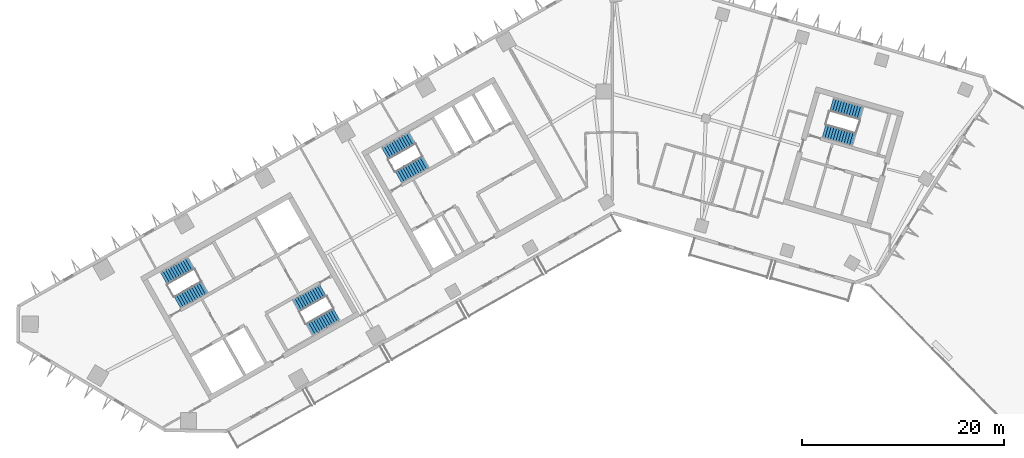
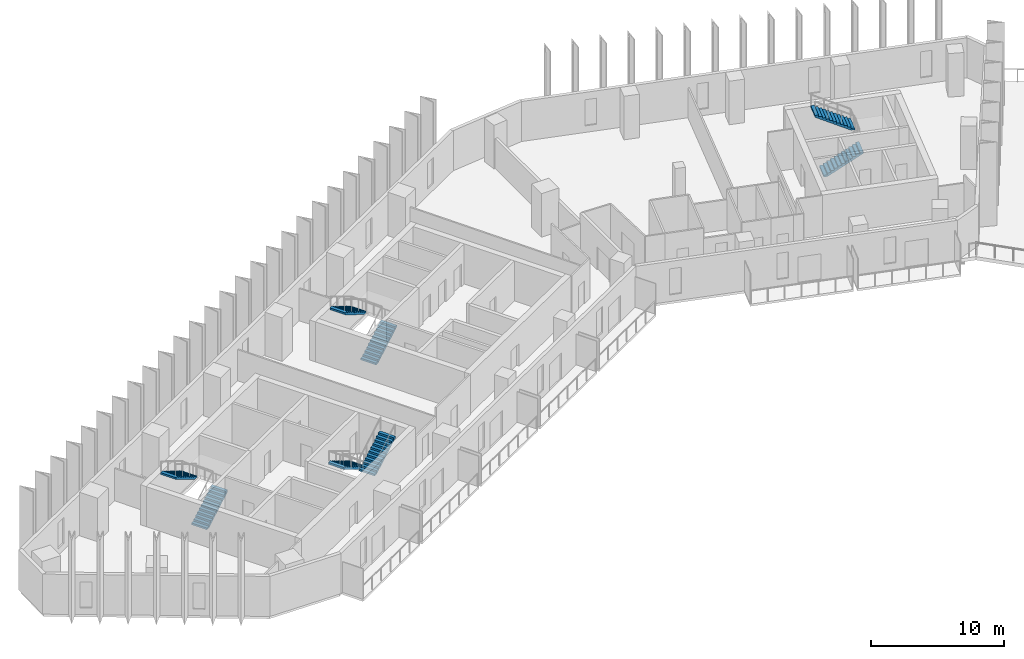
# One storey, part 7 of 12: 8 stair flights, 4 elements without a shape of their own.
"""IFC4 building model written with IfcOpenShell, lengths in metres."""

from ifc_helpers import new_model, si_unit, direction, frame, origin, place, context, subcontext, project, spatial, polyline, outline, extrude, material, type_object, element, aggregate, save


model = new_model("IFC4")

# Units and contexts
model_context = context("Model", 3, precision=1e-05, world=origin(), true_north=direction((0.0, 1.0)))
body_context = subcontext(model_context, "Body", "Model", "MODEL_VIEW")
ifc_project = project(units=[si_unit("LENGTHUNIT", "METRE"), si_unit("AREAUNIT", "SQUARE_METRE"), si_unit("VOLUMEUNIT", "CUBIC_METRE"), si_unit("PLANEANGLEUNIT", "RADIAN"), si_unit("MASSUNIT", "GRAM", prefix="KILO")], contexts=[model_context])

# Site, building, storey
site_placement = place(None, origin())
site = spatial("IfcSite", under=ifc_project, at=site_placement, CompositionType="ELEMENT")
building_placement = place(site_placement, origin())
building = spatial("IfcBuilding", under=site, at=building_placement, Name="Binnacle Exchange Tower", CompositionType="ELEMENT")
storey_placement = place(building_placement, frame((0.0, 0.0, 154.89990234375)))
storey = spatial("IfcBuildingStorey", under=building, at=storey_placement, Name="L32", CompositionType="ELEMENT", Elevation=154.89990234375)

# Stair, stair flights
ifc_material = material(Name="Concrete C35/45", Category="concrete")
stair_type = type_object("IfcStairType", Name="STAIR 24 RISERS 167", PredefinedType="HALF_TURN_STAIR", material=ifc_material)
stair_1_placement = place(storey_placement, origin())
stair_1 = element("IfcStair", 1, at=stair_1_placement, inside=storey, type_object=stair_type, Name="L32 Escape stair A1", PredefinedType="HALF_TURN_STAIR")
stair_flight_type = type_object("IfcStairFlightType", Name="STAIR FLIGHT 167X280", PredefinedType="STRAIGHT", material=ifc_material)
stair_flight_1_placement = place(storey_placement, frame((-42.9541015625, 39.17333984375, 0.0), z_axis=(0.0, 0.0, 1.0), x_axis=(0.870355584213, 0.492423757581, 0.0)))
stair_flight_1 = element("IfcStairFlight", 2, at=stair_flight_1_placement, type_object=stair_flight_type, Name="STA1 flight 1", NumberOfRisers=12, NumberOfTreads=11, PredefinedType="STRAIGHT", RiserHeight=0.166666667, TreadLength=0.28, context=body_context, shape_type="SweptSolid", body=[
    extrude(outline(polyline([(0.0, 0.0), (0.0, 0.166748046875), (0.280029296875, 0.166748046875), (0.280029296875, 0.333251953125), (0.56005859375, 0.333251953125), (0.56005859375, 0.5), (0.840087890625, 0.5), (0.840087890625, 0.666748046875), (1.1201171875, 0.666748046875), (1.1201171875, 0.833251953125), (1.39990234375, 0.833251953125), (1.39990234375, 1.0), (1.679931640625, 1.0), (1.679931640625, 1.166748046875), (1.9599609375, 1.166748046875), (1.9599609375, 1.333251953125), (2.239990234375, 1.333251953125), (2.239990234375, 1.5), (2.52001953125, 1.5), (2.52001953125, 1.666748046875), (2.800048828125, 1.666748046875), (2.800048828125, 1.833251953125), (3.080078125, 1.833251953125), (3.080078125, 2.0), (3.080078125, 1.658935546875), (0.29296875, 0.0), (0.0, 0.0)])), frame((0.0, 0.675048828125, 0.0), z_axis=(0.0, -1.0, 0.0), x_axis=(1.0, 0.0, 0.0)), (0.0, 0.0, 1.0), 1.35009765625),
])
stair_flight_2_placement = place(storey_placement, frame((-41.602783203125, 43.0400390625, 2.0), z_axis=(0.0, 0.0, 1.0), x_axis=(-0.870355584213, -0.492423757581, 0.0)))
stair_flight_2 = element("IfcStairFlight", 3, at=stair_flight_2_placement, type_object=stair_flight_type, Name="STA1 flight 2", NumberOfRisers=12, NumberOfTreads=11, PredefinedType="STRAIGHT", RiserHeight=0.166666667, TreadLength=0.28, context=body_context, shape_type="SweptSolid", body=[
    extrude(outline(polyline([(0.0, 0.0), (0.0, 0.166748046875), (0.280029296875, 0.166748046875), (0.280029296875, 0.333251953125), (0.56005859375, 0.333251953125), (0.56005859375, 0.5), (0.840087890625, 0.5), (0.840087890625, 0.666748046875), (1.1201171875, 0.666748046875), (1.1201171875, 0.833251953125), (1.39990234375, 0.833251953125), (1.39990234375, 1.0), (1.679931640625, 1.0), (1.679931640625, 1.166748046875), (1.9599609375, 1.166748046875), (1.9599609375, 1.333251953125), (2.239990234375, 1.333251953125), (2.239990234375, 1.5), (2.52001953125, 1.5), (2.52001953125, 1.666748046875), (2.800048828125, 1.666748046875), (2.800048828125, 1.833251953125), (3.080078125, 1.833251953125), (3.080078125, 2.0), (3.080078125, 1.658935546875), (0.29296875, 0.0), (0.0, 0.0)])), frame((0.0, 0.675048828125, 0.0), z_axis=(0.0, -1.0, 0.0), x_axis=(1.0, 0.0, 0.0)), (0.0, 0.0, 1.0), 1.35009765625),
])
aggregate(stair_1, [stair_flight_1, stair_flight_2])

stair_2_placement = place(storey_placement, origin())
stair_2 = element("IfcStair", 4, at=stair_2_placement, inside=storey, type_object=stair_type, Name="L32 Escape stair A2", PredefinedType="HALF_TURN_STAIR")
stair_flight_3_placement = place(storey_placement, frame((-28.5732421875, 40.3583984375, 0.0), z_axis=(0.0, 0.0, 1.0), x_axis=(-0.870355584213, -0.492423757581, 0.0)))
stair_flight_3 = element("IfcStairFlight", 5, at=stair_flight_3_placement, type_object=stair_flight_type, Name="STA2 flight 1", NumberOfRisers=12, NumberOfTreads=11, PredefinedType="STRAIGHT", RiserHeight=0.166666667, TreadLength=0.28, context=body_context, shape_type="SweptSolid", body=[
    extrude(outline(polyline([(0.0, 0.0), (0.0, 0.166748046875), (0.280029296875, 0.166748046875), (0.280029296875, 0.333251953125), (0.56005859375, 0.333251953125), (0.56005859375, 0.5), (0.840087890625, 0.5), (0.840087890625, 0.666748046875), (1.1201171875, 0.666748046875), (1.1201171875, 0.833251953125), (1.39990234375, 0.833251953125), (1.39990234375, 1.0), (1.679931640625, 1.0), (1.679931640625, 1.166748046875), (1.9599609375, 1.166748046875), (1.9599609375, 1.333251953125), (2.239990234375, 1.333251953125), (2.239990234375, 1.5), (2.52001953125, 1.5), (2.52001953125, 1.666748046875), (2.800048828125, 1.666748046875), (2.800048828125, 1.833251953125), (3.080078125, 1.833251953125), (3.080078125, 2.0), (3.080078125, 1.658935546875), (0.29296875, 0.0), (0.0, 0.0)])), frame((0.0, 0.675048828125, 0.0), z_axis=(0.0, -1.0, 0.0), x_axis=(1.0, 0.0, 0.0)), (0.0, 0.0, 1.0), 1.35009765625),
])
stair_flight_4_placement = place(storey_placement, frame((-29.92431640625, 36.49169921875, 2.0), z_axis=(0.0, 0.0, 1.0), x_axis=(0.870355584213, 0.492423757581, 0.0)))
stair_flight_4 = element("IfcStairFlight", 6, at=stair_flight_4_placement, type_object=stair_flight_type, Name="STA2 flight 2", NumberOfRisers=12, NumberOfTreads=11, PredefinedType="STRAIGHT", RiserHeight=0.166666667, TreadLength=0.28, context=body_context, shape_type="SweptSolid", body=[
    extrude(outline(polyline([(0.0, 0.0), (0.0, 0.166748046875), (0.280029296875, 0.166748046875), (0.280029296875, 0.333251953125), (0.56005859375, 0.333251953125), (0.56005859375, 0.5), (0.840087890625, 0.5), (0.840087890625, 0.666748046875), (1.1201171875, 0.666748046875), (1.1201171875, 0.833251953125), (1.39990234375, 0.833251953125), (1.39990234375, 1.0), (1.679931640625, 1.0), (1.679931640625, 1.166748046875), (1.9599609375, 1.166748046875), (1.9599609375, 1.333251953125), (2.239990234375, 1.333251953125), (2.239990234375, 1.5), (2.52001953125, 1.5), (2.52001953125, 1.666748046875), (2.800048828125, 1.666748046875), (2.800048828125, 1.833251953125), (3.080078125, 1.833251953125), (3.080078125, 2.0), (3.080078125, 1.658935546875), (0.29296875, 0.0), (0.0, 0.0)])), frame((0.0, 0.675048828125, 0.0), z_axis=(0.0, -1.0, 0.0), x_axis=(1.0, 0.0, 0.0)), (0.0, 0.0, 1.0), 1.35009765625),
])
aggregate(stair_2, [stair_flight_3, stair_flight_4])

stair_3_placement = place(storey_placement, origin())
stair_3 = element("IfcStair", 7, at=stair_3_placement, inside=storey, type_object=stair_type, Name="L32 Escape stair C1", PredefinedType="HALF_TURN_STAIR")
stair_flight_5_placement = place(storey_placement, frame((-21.115966796875, 51.528564453125, 0.0), z_axis=(0.0, 0.0, 1.0), x_axis=(0.870355584213, 0.492423757581, 0.0)))
stair_flight_5 = element("IfcStairFlight", 8, at=stair_flight_5_placement, type_object=stair_flight_type, Name="STC1 flight 1", NumberOfRisers=12, NumberOfTreads=11, PredefinedType="STRAIGHT", RiserHeight=0.166666667, TreadLength=0.28, context=body_context, shape_type="SweptSolid", body=[
    extrude(outline(polyline([(0.0, 0.0), (0.0, 0.166748046875), (0.280029296875, 0.166748046875), (0.280029296875, 0.333251953125), (0.56005859375, 0.333251953125), (0.56005859375, 0.5), (0.840087890625, 0.5), (0.840087890625, 0.666748046875), (1.1201171875, 0.666748046875), (1.1201171875, 0.833251953125), (1.39990234375, 0.833251953125), (1.39990234375, 1.0), (1.679931640625, 1.0), (1.679931640625, 1.166748046875), (1.9599609375, 1.166748046875), (1.9599609375, 1.333251953125), (2.239990234375, 1.333251953125), (2.239990234375, 1.5), (2.52001953125, 1.5), (2.52001953125, 1.666748046875), (2.800048828125, 1.666748046875), (2.800048828125, 1.833251953125), (3.080078125, 1.833251953125), (3.080078125, 2.0), (3.080078125, 1.658935546875), (0.29296875, 0.0), (0.0, 0.0)])), frame((0.0, 0.675048828125, 0.0), z_axis=(0.0, -1.0, 0.0), x_axis=(1.0, 0.0, 0.0)), (0.0, 0.0, 1.0), 1.35009765625),
])
stair_flight_6_placement = place(storey_placement, frame((-19.764892578125, 55.395263671875, 2.0), z_axis=(0.0, 0.0, 1.0), x_axis=(-0.870355584213, -0.492423757581, 0.0)))
stair_flight_6 = element("IfcStairFlight", 9, at=stair_flight_6_placement, type_object=stair_flight_type, Name="STC1 flight 2", NumberOfRisers=12, NumberOfTreads=11, PredefinedType="STRAIGHT", RiserHeight=0.166666667, TreadLength=0.28, context=body_context, shape_type="SweptSolid", body=[
    extrude(outline(polyline([(0.0, 0.0), (0.0, 0.166748046875), (0.280029296875, 0.166748046875), (0.280029296875, 0.333251953125), (0.56005859375, 0.333251953125), (0.56005859375, 0.5), (0.840087890625, 0.5), (0.840087890625, 0.666748046875), (1.1201171875, 0.666748046875), (1.1201171875, 0.833251953125), (1.39990234375, 0.833251953125), (1.39990234375, 1.0), (1.679931640625, 1.0), (1.679931640625, 1.166748046875), (1.9599609375, 1.166748046875), (1.9599609375, 1.333251953125), (2.239990234375, 1.333251953125), (2.239990234375, 1.5), (2.52001953125, 1.5), (2.52001953125, 1.666748046875), (2.800048828125, 1.666748046875), (2.800048828125, 1.833251953125), (3.080078125, 1.833251953125), (3.080078125, 2.0), (3.080078125, 1.658935546875), (0.29296875, 0.0), (0.0, 0.0)])), frame((0.0, 0.675048828125, 0.0), z_axis=(0.0, -1.0, 0.0), x_axis=(1.0, 0.0, 0.0)), (0.0, 0.0, 1.0), 1.35009765625),
])
aggregate(stair_3, [stair_flight_5, stair_flight_6])

stair_4_placement = place(storey_placement, origin())
stair_4 = element("IfcStair", 10, at=stair_4_placement, inside=storey, type_object=stair_type, Name="L32 Escape stair D1", PredefinedType="HALF_TURN_STAIR")
stair_flight_7_placement = place(storey_placement, frame((20.914306640625, 56.109619140625, 0.0), z_axis=(0.0, 0.0, 1.0), x_axis=(0.961261811397, -0.275636953165, 0.0)))
stair_flight_7 = element("IfcStairFlight", 11, at=stair_flight_7_placement, type_object=stair_flight_type, Name="STD1 flight 1", NumberOfRisers=12, NumberOfTreads=11, PredefinedType="STRAIGHT", RiserHeight=0.166666667, TreadLength=0.28, context=body_context, shape_type="SweptSolid", body=[
    extrude(outline(polyline([(0.0, 0.0), (0.0, 0.166748046875), (0.280029296875, 0.166748046875), (0.280029296875, 0.333251953125), (0.56005859375, 0.333251953125), (0.56005859375, 0.5), (0.840087890625, 0.5), (0.840087890625, 0.666748046875), (1.1201171875, 0.666748046875), (1.1201171875, 0.833251953125), (1.39990234375, 0.833251953125), (1.39990234375, 1.0), (1.679931640625, 1.0), (1.679931640625, 1.166748046875), (1.9599609375, 1.166748046875), (1.9599609375, 1.333251953125), (2.239990234375, 1.333251953125), (2.239990234375, 1.5), (2.52001953125, 1.5), (2.52001953125, 1.666748046875), (2.800048828125, 1.666748046875), (2.800048828125, 1.833251953125), (3.080078125, 1.833251953125), (3.080078125, 2.0), (3.080078125, 1.658935546875), (0.29296875, 0.0), (0.0, 0.0)])), frame((0.0, 0.675048828125, 0.0), z_axis=(0.0, -1.0, 0.0), x_axis=(1.0, 0.0, 0.0)), (0.0, 0.0, 1.0), 1.35009765625),
])
stair_flight_8_placement = place(storey_placement, frame((24.619384765625, 57.85595703125, 2.0), z_axis=(0.0, 0.0, 1.0), x_axis=(-0.961261811397, 0.275636953165, 0.0)))
stair_flight_8 = element("IfcStairFlight", 12, at=stair_flight_8_placement, type_object=stair_flight_type, Name="STD1 flight 2", NumberOfRisers=12, NumberOfTreads=11, PredefinedType="STRAIGHT", RiserHeight=0.166666667, TreadLength=0.28, context=body_context, shape_type="SweptSolid", body=[
    extrude(outline(polyline([(0.0, 0.0), (0.0, 0.166748046875), (0.280029296875, 0.166748046875), (0.280029296875, 0.333251953125), (0.56005859375, 0.333251953125), (0.56005859375, 0.5), (0.840087890625, 0.5), (0.840087890625, 0.666748046875), (1.1201171875, 0.666748046875), (1.1201171875, 0.833251953125), (1.39990234375, 0.833251953125), (1.39990234375, 1.0), (1.679931640625, 1.0), (1.679931640625, 1.166748046875), (1.9599609375, 1.166748046875), (1.9599609375, 1.333251953125), (2.239990234375, 1.333251953125), (2.239990234375, 1.5), (2.52001953125, 1.5), (2.52001953125, 1.666748046875), (2.800048828125, 1.666748046875), (2.800048828125, 1.833251953125), (3.080078125, 1.833251953125), (3.080078125, 2.0), (3.080078125, 1.658935546875), (0.29296875, 0.0), (0.0, 0.0)])), frame((0.0, 0.675048828125, 0.0), z_axis=(0.0, -1.0, 0.0), x_axis=(1.0, 0.0, 0.0)), (0.0, 0.0, 1.0), 1.35009765625),
])
aggregate(stair_4, [stair_flight_7, stair_flight_8])

save(model, "model.ifc")
